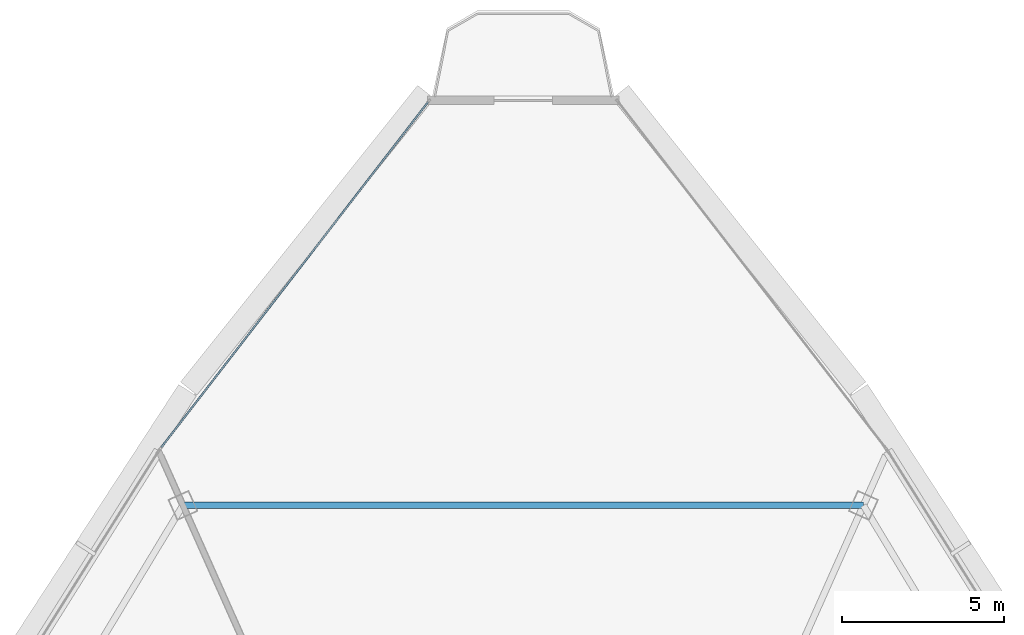
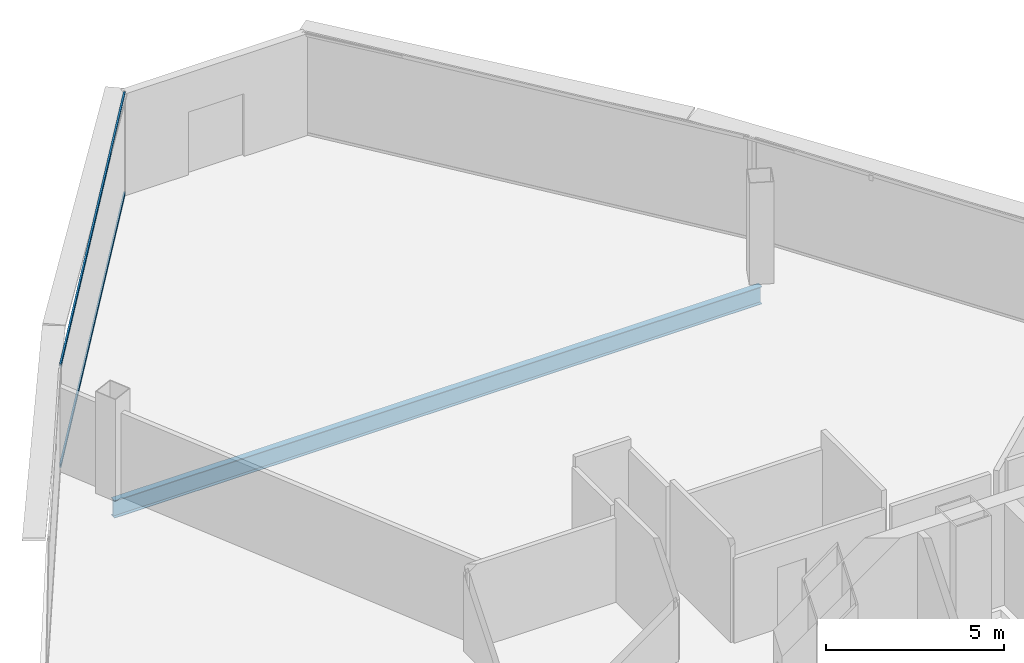
# One storey, part 17 of 29: 2 members, 1 beam, 1 element without a shape of its own.
"""IFC4 building model written with IfcOpenShell, lengths in metres."""

from ifc_helpers import new_model, si_unit, direction, frame, origin, origin_2d, place, context, subcontext, project, spatial, hollow_rectangle, i_section, extrude, source, transform, mapped, material, layer, layer_set, material_profile, profile_set, type_object, element, aggregate, save


model = new_model("IFC4")

# Units and contexts
model_context = context("Model", 3, precision=1e-05, world=origin(), true_north=direction((0.0, 1.0)))
body_context = subcontext(model_context, "Body", "Model", "MODEL_VIEW")
ifc_project = project(units=[si_unit("LENGTHUNIT", "METRE"), si_unit("AREAUNIT", "SQUARE_METRE"), si_unit("VOLUMEUNIT", "CUBIC_METRE"), si_unit("PLANEANGLEUNIT", "RADIAN"), si_unit("MASSUNIT", "GRAM", prefix="KILO"), si_unit("THERMODYNAMICTEMPERATUREUNIT", "KELVIN"), si_unit("POWERUNIT", "WATT")], contexts=[model_context])

# Site, building, storey
site_placement = place(None, origin())
site = spatial("IfcSite", under=ifc_project, at=site_placement, CompositionType="ELEMENT")
building_placement = place(site_placement, origin())
building = spatial("IfcBuilding", under=site, at=building_placement, Name="Yunzhuo Pagoda Commons", CompositionType="ELEMENT")
storey_placement = place(building_placement, frame((0.0, 0.0, 359.260009765625)))
storey = spatial("IfcBuildingStorey", under=building, at=storey_placement, Name="L90", CompositionType="ELEMENT", Elevation=359.260009765625)

# Beam
ifc_material_1 = material(Name="Structural steel Q355B", Category="steel")
ifc_material_profile_1 = material_profile(ifc_material_1, i_section(OverallWidth=0.199951171875, OverallDepth=0.60009765625, WebThickness=0.010986328125, FlangeThickness=0.01708984375, at=origin_2d()), Name="Structural steel Q355B")
ifc_profile_set_1 = profile_set([ifc_material_profile_1], Name="Structural steel Q355B")
beam_type = type_object("IfcBeamType", Name="B-RG3 Beam HN 600x200x11x17", PredefinedType="BEAM", material=ifc_profile_set_1)
shared_shape_1 = source(origin(), body_context, "Body", "SweptSolid", [
    extrude(i_section(OverallWidth=0.199951171875, OverallDepth=0.60009765625, WebThickness=0.010986328125, FlangeThickness=0.01708984375, at=origin_2d()), origin(), (0.0, 0.0, 1.0), 20.99755859375),
])
beam_placement = place(storey_placement, frame((58.498779296875, 57.281005859375, -0.56005859375), z_axis=(-1.0, 0.0, 0.0), x_axis=(0.0, -1.0, 0.0)))
element("IfcBeam", 1, at=beam_placement, inside=storey, type_object=beam_type, Name="L90 column-ring beam 8", PredefinedType="BEAM", context=body_context, shape_type="MappedRepresentation", body=[
    mapped(shared_shape_1, transform((0.0, 0.0, 0.0), scale=1.0)),
])

# Curtain wall, members
ifc_material_2 = material(Name="Anodized aluminium 6063-T6", Category="aluminium")
ifc_layer = layer(ifc_material_2, 0.139892578125)
ifc_layer_set = layer_set([ifc_layer], Name="Anodized aluminium 6063-T6")
curtain_wall_type = type_object("IfcCurtainWallType", Name="CW-HI High-Zone Ribbon Curtain Wall", PredefinedType="NOTDEFINED", material=ifc_layer_set)
curtain_wall_placement = place(storey_placement, origin())
curtain_wall = element("IfcCurtainWall", 2, at=curtain_wall_placement, inside=storey, type_object=curtain_wall_type, Name="L90 curtain wall CW-L90-F3B1", PredefinedType="NOTDEFINED")
ifc_material_profile_2 = material_profile(ifc_material_2, hollow_rectangle(XDim=0.054931640625, YDim=0.1201171875, WallThickness=0.00341796875, at=origin_2d()), Name="Anodized aluminium 6063-T6")
ifc_profile_set_2 = profile_set([ifc_material_profile_2], Name="Anodized aluminium 6063-T6")
member_type = type_object("IfcMemberType", Name="CW-HI-T Transom RHS 120x55x3.5", PredefinedType="USERDEFINED", material=ifc_profile_set_2)
shared_shape_2 = source(origin(), body_context, "Body", "SweptSolid", [
    extrude(hollow_rectangle(XDim=0.054931640625, YDim=0.1201171875, WallThickness=0.00341796875, at=origin_2d()), origin(), (0.0, 0.0, 1.0), 13.46630859375),
])
member_1_placement = place(storey_placement, frame((45.06640625, 69.72900390625, 0.027587890625), z_axis=(-0.611370616894, -0.791344405931, 0.0), x_axis=(0.791344405931, -0.611370616894, 0.0)))
member_1 = element("IfcMember", 3, at=member_1_placement, type_object=member_type, Name="CW transom 1.1", ObjectType="TRANSOM", PredefinedType="USERDEFINED", context=body_context, shape_type="MappedRepresentation", body=[
    mapped(shared_shape_2, transform((0.0, 0.0, 0.0), scale=1.0)),
])
member_2_placement = place(storey_placement, frame((45.06640625, 69.72900390625, 3.46240234375), z_axis=(-0.611370616894, -0.791344405931, 0.0), x_axis=(0.791344405931, -0.611370616894, 0.0)))
member_2 = element("IfcMember", 4, at=member_2_placement, type_object=member_type, Name="CW transom 1.2", ObjectType="TRANSOM", PredefinedType="USERDEFINED", context=body_context, shape_type="MappedRepresentation", body=[
    mapped(shared_shape_2, transform((0.0, 0.0, 0.0), scale=1.0)),
])
aggregate(curtain_wall, [member_1, member_2])

save(model, "model.ifc")
